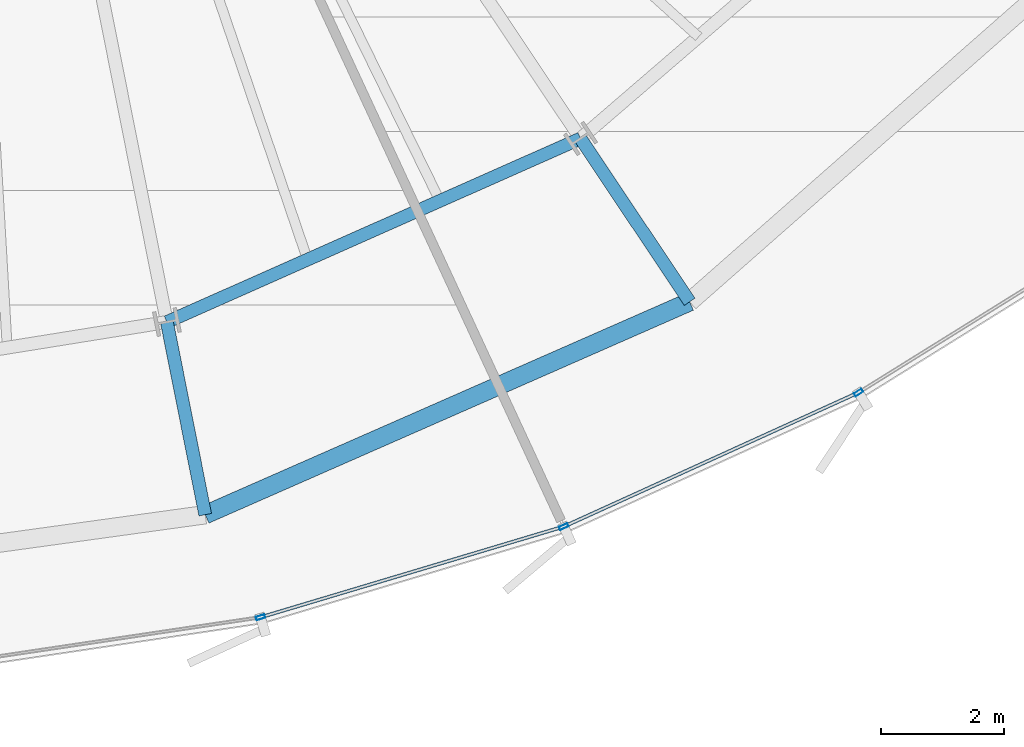
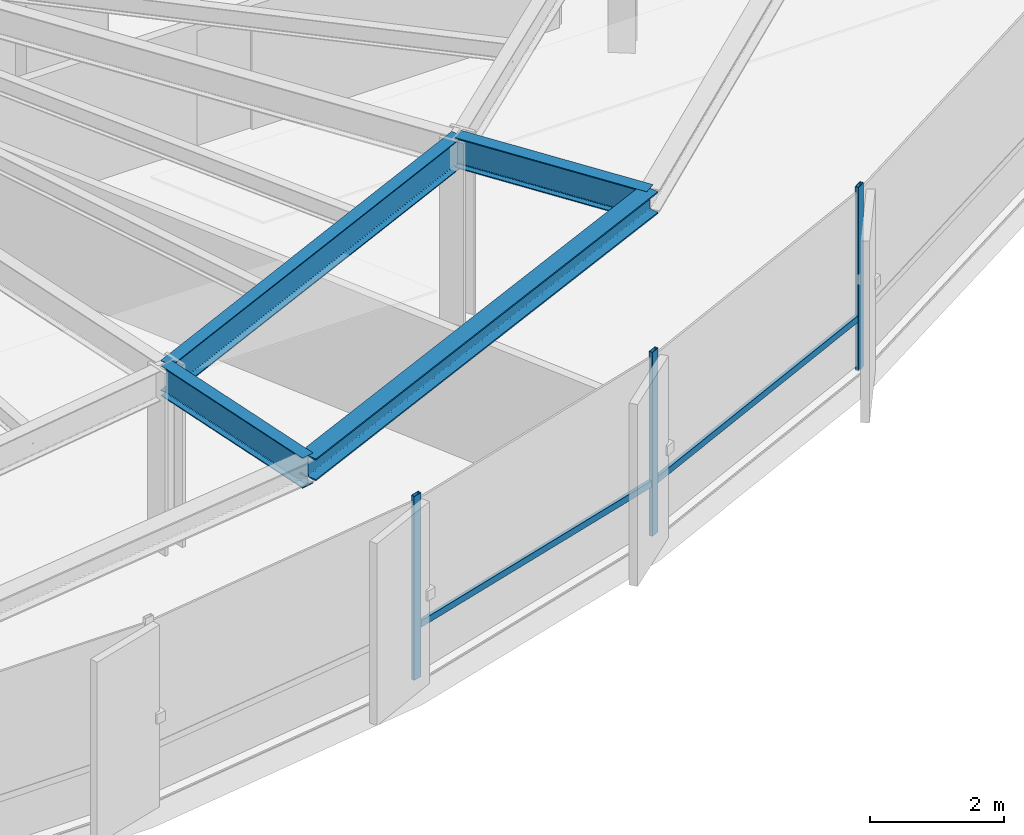
# One storey, part 11 of 35: 5 members, 4 beams, 1 element without a shape of its own.
"""IFC4 building model written with IfcOpenShell, lengths in metres."""

from ifc_helpers import new_model, si_unit, direction, frame, origin, origin_2d, place, context, subcontext, project, spatial, hollow_rectangle, i_section, extrude, source, transform, mapped, material, layer, layer_set, material_profile, profile_set, type_object, element, aggregate, save


model = new_model("IFC4")

# Units and contexts
model_context = context("Model", 3, precision=1e-05, world=origin(), true_north=direction((0.0, 1.0)))
body_context = subcontext(model_context, "Body", "Model", "MODEL_VIEW")
ifc_project = project(units=[si_unit("LENGTHUNIT", "METRE"), si_unit("AREAUNIT", "SQUARE_METRE"), si_unit("VOLUMEUNIT", "CUBIC_METRE"), si_unit("PLANEANGLEUNIT", "RADIAN"), si_unit("MASSUNIT", "GRAM", prefix="KILO"), si_unit("THERMODYNAMICTEMPERATUREUNIT", "KELVIN")], contexts=[model_context])

# Site, building, storey
site_placement = place(None, origin())
site = spatial("IfcSite", under=ifc_project, at=site_placement, CompositionType="ELEMENT")
building_placement = place(site_placement, origin())
building = spatial("IfcBuilding", under=site, at=building_placement, Name="Kethvar Cultural Tower", CompositionType="ELEMENT")
storey_placement = place(building_placement, frame((0.0, 0.0, 85.60009765625)))
storey = spatial("IfcBuildingStorey", under=building, at=storey_placement, Name="L20", CompositionType="ELEMENT", Elevation=85.60009765625)

# Beams
ifc_material_1 = material(Name="Steel S355J2", Category="steel")
ifc_material_profile_1 = material_profile(ifc_material_1, i_section(OverallWidth=0.2099609375, OverallDepth=0.550048828125, WebThickness=0.010986328125, FlangeThickness=0.01708984375, FilletRadius=0.02392578125, at=origin_2d()), Name="Steel S355J2 — IPE550")
ifc_profile_set_1 = profile_set([ifc_material_profile_1], Name="Steel S355J2 — IPE550")
beam_type_1 = type_object("IfcBeamType", Name="BM-IPE550", PredefinedType="BEAM", material=ifc_profile_set_1)
shared_shape_1 = source(origin(), body_context, "Body", "SweptSolid", [
    extrude(i_section(OverallWidth=0.2099609375, OverallDepth=0.550048828125, WebThickness=0.010986328125, FlangeThickness=0.01708984375, FilletRadius=0.02392578125, at=origin_2d()), origin(), (0.0, 0.0, 1.0), 3.199951171875),
])
beam_1_placement = place(storey_placement, frame((57.241943359375, 12.17236328125, 3.072998046875), z_axis=(0.555580212716, -0.831462943996, 0.0), x_axis=(0.831462943996, 0.555580212716, 0.0)))
element("IfcBeam", 1, at=beam_1_placement, inside=storey, type_object=beam_type_1, Name="L20 Perimeter Cantilever Beam RC-14", PredefinedType="BEAM", context=body_context, shape_type="MappedRepresentation", body=[
    mapped(shared_shape_1, transform((0.0, 0.0, 0.0), scale=1.0)),
])
shared_shape_2 = source(origin(), body_context, "Body", "SweptSolid", [
    extrude(i_section(OverallWidth=0.2099609375, OverallDepth=0.550048828125, WebThickness=0.010986328125, FlangeThickness=0.01708984375, FilletRadius=0.02392578125, at=origin_2d()), origin(), (0.0, 0.0, 1.0), 3.2001953125),
])
beam_2_placement = place(storey_placement, frame((50.50341796875, 9.182373046875, 3.072998046875), z_axis=(0.195074368086, -0.980788453702, 0.0), x_axis=(0.980788453702, 0.195074368086, 0.0)))
element("IfcBeam", 2, at=beam_2_placement, inside=storey, type_object=beam_type_1, Name="L20 Perimeter Cantilever Beam RC-13", PredefinedType="BEAM", context=body_context, shape_type="MappedRepresentation", body=[
    mapped(shared_shape_2, transform((0.0, 0.0, 0.0), scale=1.0)),
])
shared_shape_3 = source(origin(), body_context, "Body", "SweptSolid", [
    extrude(i_section(OverallWidth=0.2099609375, OverallDepth=0.550048828125, WebThickness=0.010986328125, FlangeThickness=0.01708984375, FilletRadius=0.02392578125, at=origin_2d()), origin(), (0.0, 0.0, 1.0), 7.3720703125),
])
beam_3_placement = place(storey_placement, frame((50.50341796875, 9.182373046875, 3.072998046875), z_axis=(0.914058560918, 0.405582232367, 0.0), x_axis=(-0.405582232367, 0.914058560918, 0.0)))
element("IfcBeam", 3, at=beam_3_placement, inside=storey, type_object=beam_type_1, Name="L20 Column Ring Tie Beam CR-13", PredefinedType="BEAM", context=body_context, shape_type="MappedRepresentation", body=[
    mapped(shared_shape_3, transform((0.0, 0.0, 0.0), scale=1.0)),
])
ifc_material_profile_2 = material_profile(ifc_material_1, i_section(OverallWidth=0.300048828125, OverallDepth=0.39990234375, WebThickness=0.013427734375, FlangeThickness=0.02392578125, FilletRadius=0.027099609375, at=origin_2d()), Name="Steel S355J2 — HEB400")
ifc_profile_set_2 = profile_set([ifc_material_profile_2], Name="Steel S355J2 — HEB400")
beam_type_2 = type_object("IfcBeamType", Name="BM-SP400", PredefinedType="SPANDREL", material=ifc_profile_set_2)
shared_shape_4 = source(origin(), body_context, "Body", "SweptSolid", [
    extrude(i_section(OverallWidth=0.300048828125, OverallDepth=0.39990234375, WebThickness=0.013427734375, FlangeThickness=0.02392578125, FilletRadius=0.027099609375, at=origin_2d()), origin(), (0.0, 0.0, 1.0), 8.620361328125),
])
beam_4_placement = place(storey_placement, frame((51.127685546875, 6.043701171875, 3.14794921875), z_axis=(0.915507442902, 0.402301034041, 0.0), x_axis=(-0.402301034041, 0.915507442902, 0.0)))
element("IfcBeam", 4, at=beam_4_placement, inside=storey, type_object=beam_type_2, Name="L20 Perimeter Spandrel Beam SP-13", PredefinedType="SPANDREL", context=body_context, shape_type="MappedRepresentation", body=[
    mapped(shared_shape_4, transform((0.0, 0.0, 0.0), scale=1.0)),
])

# Curtain wall, members
ifc_material_2 = material(Name="Aluminium 6063-T6", Category="aluminium")
ifc_layer = layer(ifc_material_2, 0.179931640625, Name="Aluminium 6063-T6", Category="aluminium")
ifc_layer_set = layer_set([ifc_layer], Name="Aluminium 6063-T6 (180 mm)")
curtain_wall_type = type_object("IfcCurtainWallType", Name="CW-SYS-03-Z2", PredefinedType="NOTDEFINED", material=ifc_layer_set)
curtain_wall_placement = place(storey_placement, origin())
curtain_wall = element("IfcCurtainWall", 5, at=curtain_wall_placement, inside=storey, type_object=curtain_wall_type, Name="L20 Curtain Wall Run 05", PredefinedType="NOTDEFINED")
ifc_material_profile_3 = material_profile(ifc_material_2, hollow_rectangle(XDim=0.06005859375, YDim=0.14990234375, WallThickness=0.0048828125, at=origin_2d()), Name="Aluminium 6063-T6 — RHS150x60x5")
ifc_profile_set_3 = profile_set([ifc_material_profile_3], Name="Aluminium 6063-T6 — RHS150x60x5")
member_type_1 = type_object("IfcMemberType", Name="CW-SYS-03-Z2-MUL", PredefinedType="MULLION", material=ifc_profile_set_3)
shared_shape_5 = source(origin(), body_context, "Body", "SweptSolid", [
    extrude(hollow_rectangle(XDim=0.06005859375, YDim=0.14990234375, WallThickness=0.0048828125, at=origin_2d()), origin(), (0.0, 0.0, 1.0), 3.349853515625),
])
member_1_placement = place(storey_placement, frame((52.028564453125, 4.37158203125, 0.0), z_axis=(0.0, 0.0, 1.0), x_axis=(-0.286741925196, 0.958007864443, 0.0)))
member_1 = element("IfcMember", 6, at=member_1_placement, type_object=member_type_1, Name="CW-L20-R05 Mullion 4", PredefinedType="MULLION", context=body_context, shape_type="MappedRepresentation", body=[
    mapped(shared_shape_5, transform((0.0, 0.0, 0.0), scale=1.0)),
])
member_2_placement = place(storey_placement, frame((56.968994140625, 5.84912109375, 0.0), z_axis=(0.0, 0.0, 1.0), x_axis=(-0.414200845555, 0.910185508312, 0.0)))
member_2 = element("IfcMember", 7, at=member_2_placement, type_object=member_type_1, Name="CW-L20-R05 Mullion 5", PredefinedType="MULLION", context=body_context, shape_type="MappedRepresentation", body=[
    mapped(shared_shape_5, transform((0.0, 0.0, 0.0), scale=1.0)),
])
member_3_placement = place(storey_placement, frame((61.771240234375, 8.033447265625, 0.0), z_axis=(0.0, 0.0, 1.0), x_axis=(-0.52803820758, 0.849220614055, 0.0)))
member_3 = element("IfcMember", 8, at=member_3_placement, type_object=member_type_1, Name="CW-L20-R05 Mullion 6", PredefinedType="MULLION", context=body_context, shape_type="MappedRepresentation", body=[
    mapped(shared_shape_5, transform((0.0, 0.0, 0.0), scale=1.0)),
])
ifc_material_profile_4 = material_profile(ifc_material_2, hollow_rectangle(XDim=0.054931640625, YDim=0.1201171875, WallThickness=0.00390625, at=origin_2d()), Name="Aluminium 6063-T6 — RHS120x55x4")
ifc_profile_set_4 = profile_set([ifc_material_profile_4], Name="Aluminium 6063-T6 — RHS120x55x4")
member_type_2 = type_object("IfcMemberType", Name="CW-SYS-03-Z2-TRN", PredefinedType="USERDEFINED", material=ifc_profile_set_4)
shared_shape_6 = source(origin(), body_context, "Body", "SweptSolid", [
    extrude(hollow_rectangle(XDim=0.054931640625, YDim=0.1201171875, WallThickness=0.00390625, at=origin_2d()), origin(), (0.0, 0.0, 1.0), 5.086181640625),
])
member_4_placement = place(storey_placement, frame((52.06982421875, 4.3837890625, 0.949951171875), z_axis=(0.958003134503, 0.286757727504, 0.0), x_axis=(-0.286757727504, 0.958003134503, 0.0)))
member_4 = element("IfcMember", 9, at=member_4_placement, type_object=member_type_2, Name="CW-L20-R05 Transom 4", ObjectType="TRANSOM", PredefinedType="USERDEFINED", context=body_context, shape_type="MappedRepresentation", body=[
    mapped(shared_shape_6, transform((0.0, 0.0, 0.0), scale=1.0)),
])
shared_shape_7 = source(origin(), body_context, "Body", "SweptSolid", [
    extrude(hollow_rectangle(XDim=0.054931640625, YDim=0.1201171875, WallThickness=0.00390625, at=origin_2d()), origin(), (0.0, 0.0, 1.0), 5.203857421875),
])
member_5_placement = place(storey_placement, frame((57.00830078125, 5.866943359375, 0.949951171875), z_axis=(0.910183229939, 0.414205852128, 0.0), x_axis=(-0.414205852128, 0.910183229939, 0.0)))
member_5 = element("IfcMember", 10, at=member_5_placement, type_object=member_type_2, Name="CW-L20-R05 Transom 5", ObjectType="TRANSOM", PredefinedType="USERDEFINED", context=body_context, shape_type="MappedRepresentation", body=[
    mapped(shared_shape_7, transform((0.0, 0.0, 0.0), scale=1.0)),
])
aggregate(curtain_wall, [member_1, member_2, member_3, member_4, member_5])

save(model, "model.ifc")
